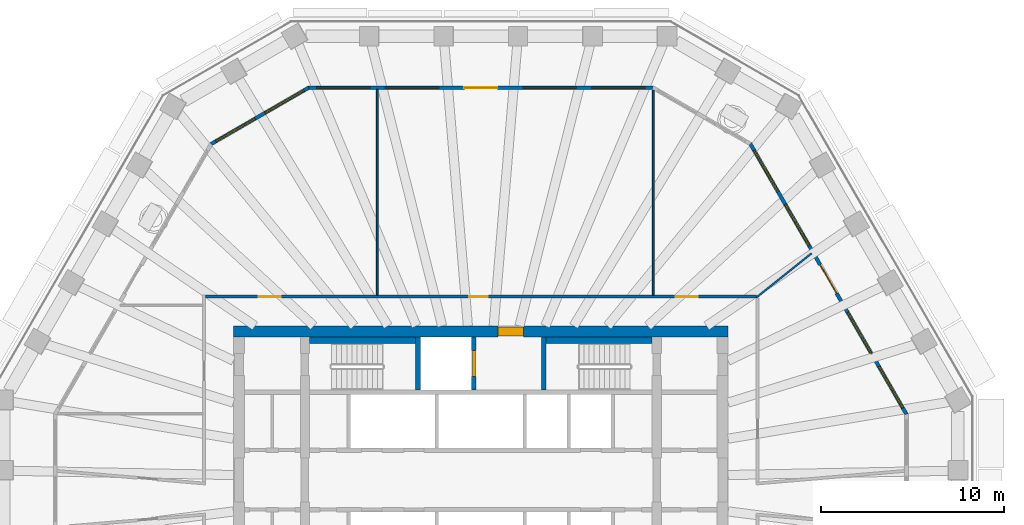
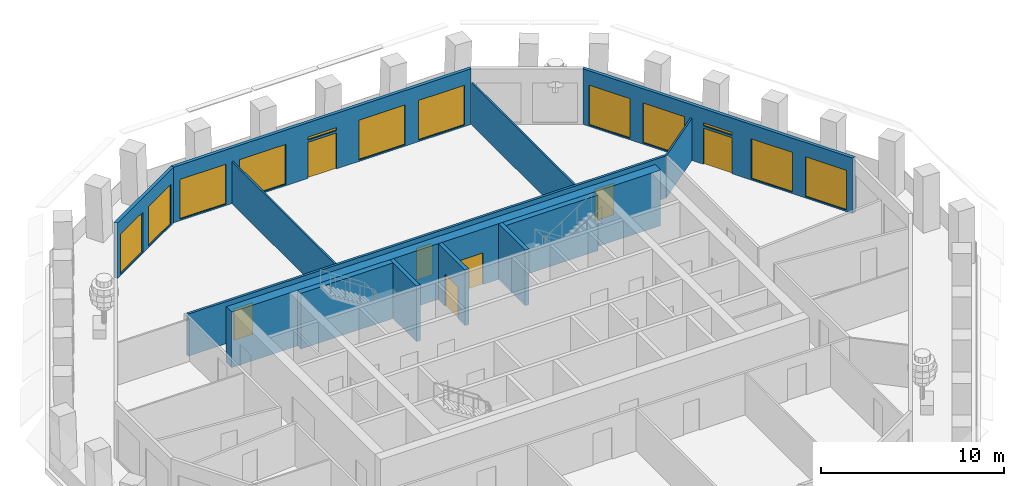
# One storey, part 7 of 12: 13 walls, 12 windows, 7 doors, 19 openings.
"""IFC4 building model written with IfcOpenShell, lengths in metres."""

import ifcopenshell
import ifcopenshell.guid

model = None  # the IFC model being written
_history = None  # IfcOwnerHistory: only IFC2X3 demands one
_inside = {}  # id of a spatial element -> (the spatial element, [elements in it])
_under = {}  # id of a project, library or spatial element -> (it, [spatial elements below it])
_declared = {}  # id of a project -> (the project, [libraries it declares])
_typed = {}  # id of a type object -> (the type object, [elements of that type])
_made_of = {}  # id of a material, layer set ... -> (it, [elements and type objects made of it])


def new_model(schema):
    """Start an empty IFC model of exactly this schema.

    Asked for "IFC4X3", IfcOpenShell would pick the latest addendum, in which some entities
    have other attributes; the version numbers below select the first issue.
    IFC2X3 requires an IfcOwnerHistory on every rooted entity: one is made here for all.
    """
    global model, _history
    if schema == "IFC4X3":
        model = ifcopenshell.file(schema_version=(4, 3, 0, 0))
    else:
        model = ifcopenshell.file(schema=schema)
    _inside.clear()
    _under.clear()
    _declared.clear()
    _typed.clear()
    _made_of.clear()
    _history = None
    if model.schema == "IFC2X3":
        org = make("IfcOrganization", Name="unknown")
        user = make(
            "IfcPersonAndOrganization",
            ThePerson=make("IfcPerson", FamilyName="unknown"),
            TheOrganization=org,
        )
        app = make(
            "IfcApplication",
            ApplicationDeveloper=org,
            Version="unknown",
            ApplicationFullName="unknown",
            ApplicationIdentifier="unknown",
        )
        _history = make(
            "IfcOwnerHistory",
            OwningUser=user,
            OwningApplication=app,
            ChangeAction="ADDED",
            CreationDate=0,
        )
    return model


def make(cls, **values):
    """One entity of the class cls with the attributes given. An attribute that is None is left unset."""
    return model.create_entity(
        cls, **{name: value for name, value in values.items() if value is not None}
    )


def rooted(cls, **values):
    """An entity with a GlobalId (a new one), such as an element, a storey or a relation."""
    return make(cls, GlobalId=ifcopenshell.guid.new(), OwnerHistory=_history, **values)


def si_unit(unit_type, name, prefix=None):
    """IfcSIUnit, for example si_unit("LENGTHUNIT", "METRE", prefix="MILLI")."""
    return make("IfcSIUnit", UnitType=unit_type, Prefix=prefix, Name=name)


def assignment(units):
    """IfcUnitAssignment: the units of a project."""
    return None if units is None else make("IfcUnitAssignment", Units=units)


def point(xyz):
    """IfcCartesianPoint."""
    return None if xyz is None else make("IfcCartesianPoint", Coordinates=xyz)


def direction(xyz):
    """IfcDirection."""
    return None if xyz is None else make("IfcDirection", DirectionRatios=xyz)


def frame(location, z_axis=None, x_axis=None):
    """IfcAxis2Placement3D, a coordinate frame: its origin and axes. An axis left out is left unset."""
    return make(
        "IfcAxis2Placement3D",
        Location=point(location),
        Axis=direction(z_axis),
        RefDirection=direction(x_axis),
    )


def frame_2d(location, x_axis=None):
    """IfcAxis2Placement2D, a coordinate frame in the plane: its origin and x axis."""
    return make(
        "IfcAxis2Placement2D", Location=point(location), RefDirection=direction(x_axis)
    )


def origin():
    """The frame at (0, 0, 0) with its axes left unset."""
    return frame((0.0, 0.0, 0.0))


def place(relative_to, where):
    """IfcLocalPlacement: puts the frame where relative to a parent placement (None: the world)."""
    return make(
        "IfcLocalPlacement", PlacementRelTo=relative_to, RelativePlacement=where
    )


def context(
    kind, dimensions, precision=None, world=None, true_north=None, identifier=None
):
    """IfcGeometricRepresentationContext, for example the 3D "Model" context."""
    return make(
        "IfcGeometricRepresentationContext",
        ContextIdentifier=identifier,
        ContextType=kind,
        CoordinateSpaceDimension=dimensions,
        Precision=precision,
        WorldCoordinateSystem=world,
        TrueNorth=true_north,
    )


def subcontext(parent, identifier, kind, view, scale=None):
    """IfcGeometricRepresentationSubContext, for example "Body" below "Model"."""
    return make(
        "IfcGeometricRepresentationSubContext",
        ContextIdentifier=identifier,
        ContextType=kind,
        ParentContext=parent,
        TargetScale=scale,
        TargetView=view,
    )


def project(units=None, contexts=None):
    """IfcProject with its units and contexts."""
    return rooted(
        "IfcProject",
        Name="project",
        RepresentationContexts=contexts,
        UnitsInContext=assignment(units),
    )


def spatial(cls, under=None, at=None, **own):
    """A site, building, storey or space (cls), placed at a placement, below another one or the project."""
    s = rooted(cls, ObjectPlacement=at, **own)
    if under is not None:
        _under.setdefault(under.id(), (under, []))[1].append(s)
    return s


def polyline(points):
    """IfcPolyline through the points."""
    return make("IfcPolyline", Points=[point(p) for p in points])


def profile(cls, at=None, kind="AREA", **sizes):
    """A parametric profile (cls). Its sizes go by their IFC names, for example OverallWidth=200.0."""
    return make(cls, ProfileType=kind, Position=at, **sizes)


def rectangle(**sizes):
    """IfcRectangleProfileDef."""
    return profile("IfcRectangleProfileDef", **sizes)


def outline(outer, holes=None, kind="AREA"):
    """IfcArbitraryClosedProfileDef: a profile drawn as a closed curve; with holes, ...WithVoids."""
    if holes is None:
        return make("IfcArbitraryClosedProfileDef", ProfileType=kind, OuterCurve=outer)
    return make(
        "IfcArbitraryProfileDefWithVoids",
        ProfileType=kind,
        OuterCurve=outer,
        InnerCurves=holes,
    )


def extrude(swept, where, along, depth):
    """IfcExtrudedAreaSolid: the profile swept, set in the frame where, extruded along a direction by depth."""
    return make(
        "IfcExtrudedAreaSolid",
        SweptArea=swept,
        Position=where,
        ExtrudedDirection=direction(along),
        Depth=depth,
    )


def shape(context_of_items, identifier, shape_type, items):
    """IfcShapeRepresentation: the items that make up one representation, for example the "Body"."""
    return make(
        "IfcShapeRepresentation",
        ContextOfItems=context_of_items,
        RepresentationIdentifier=identifier,
        RepresentationType=shape_type,
        Items=items,
    )


def material(Name=None, Category=None):
    """IfcMaterial."""
    return make("IfcMaterial", Name=Name, Category=Category)


def layer(
    of_material, thickness, ventilated=None, Name=None, Category=None, Priority=None
):
    """IfcMaterialLayer: one layer of a wall or slab, of a material (None: an air gap)."""
    return make(
        "IfcMaterialLayer",
        Material=of_material,
        LayerThickness=thickness,
        IsVentilated=ventilated,
        Name=Name,
        Category=Category,
        Priority=Priority,
    )


def layer_set(layers, Name=None):
    """IfcMaterialLayerSet."""
    return make("IfcMaterialLayerSet", MaterialLayers=layers, LayerSetName=Name)


def made_of(thing, what):
    """Note that an element or type object is made of a material, layer set ...; save() writes the relation."""
    if what is not None:
        _made_of.setdefault(what.id(), (what, []))[1].append(thing)
    return thing


def type_object(cls, material=None, **own):
    """A type object (cls), such as IfcWallType, which elements share."""
    return made_of(rooted(cls, **own), material)


def element(
    cls,
    number,
    at=None,
    inside=None,
    cuts=None,
    type_object=None,
    material=None,
    context=None,
    identifier="Body",
    shape_type=None,
    held_by="IfcProductDefinitionShape",
    body=None,
    shapes=None,
    **own,
):
    """One element of the class cls, such as IfcWall. Its Tag is "e" and its number.

    at: its placement. inside: the storey or other place that contains it. cuts: it is an
    opening in that element (IfcRelVoidsElement). A single representation is given by context,
    identifier, shape_type and body (its items); several are given by shapes. held_by: the class
    of the entity that holds the representations. save() writes the other relations.
    """
    e = rooted(cls, Tag="e%d" % number, ObjectPlacement=at, **own)
    if body is not None:
        shapes = [shape(context, identifier, shape_type, body)]
    if shapes is not None:
        e.Representation = make(held_by, Representations=shapes)
    if inside is not None:
        _inside.setdefault(inside.id(), (inside, []))[1].append(e)
    if cuts is not None:
        rooted(
            "IfcRelVoidsElement", RelatingBuildingElement=cuts, RelatedOpeningElement=e
        )
    if type_object is not None:
        _typed.setdefault(type_object.id(), (type_object, []))[1].append(e)
    return made_of(e, material)


def fill(opening, filler):
    """IfcRelFillsElement: the door or window that sits in an opening."""
    return rooted(
        "IfcRelFillsElement",
        RelatingOpeningElement=opening,
        RelatedBuildingElement=filler,
    )


def aggregate(whole, parts):
    """IfcRelAggregates: a whole, such as a stair, and the parts it consists of."""
    return rooted("IfcRelAggregates", RelatingObject=whole, RelatedObjects=parts)


def save(model, path):
    """Write the relations noted so far, then the file.

    IfcRelAggregates (storeys below a building ...), IfcRelContainedInSpatialStructure (elements
    in a storey), IfcRelDefinesByType, IfcRelAssociatesMaterial and IfcRelDeclares: one each for
    every whole, place, type object, material and project.
    """
    for whole, parts in _under.values():
        aggregate(whole, parts)
    for where, things in _inside.values():
        rooted(
            "IfcRelContainedInSpatialStructure",
            RelatedElements=things,
            RelatingStructure=where,
        )
    for kind, things in _typed.values():
        rooted("IfcRelDefinesByType", RelatedObjects=things, RelatingType=kind)
    for what, things in _made_of.values():
        rooted("IfcRelAssociatesMaterial", RelatedObjects=things, RelatingMaterial=what)
    for by, libraries in _declared.values():
        rooted("IfcRelDeclares", RelatingContext=by, RelatedDefinitions=libraries)
    model.write(path)


model = new_model("IFC4")

# Units and contexts
model_context = context("Model", 3, precision=1e-05, world=origin(), true_north=direction((0.0, 1.0)))
body_context = subcontext(model_context, "Body", "Model", "MODEL_VIEW")
ifc_project = project(units=[si_unit("LENGTHUNIT", "METRE"), si_unit("AREAUNIT", "SQUARE_METRE"), si_unit("VOLUMEUNIT", "CUBIC_METRE"), si_unit("PLANEANGLEUNIT", "RADIAN"), si_unit("MASSUNIT", "GRAM", prefix="KILO")], contexts=[model_context])

# Site, building, storey
site_placement = place(None, origin())
site = spatial("IfcSite", under=ifc_project, at=site_placement, CompositionType="ELEMENT")
building_placement = place(site_placement, origin())
building = spatial("IfcBuilding", under=site, at=building_placement, Name="Frailejon Research Tower", CompositionType="ELEMENT")
storey_placement = place(building_placement, frame((0.0, 0.0, 227.39990234375)))
storey = spatial("IfcBuildingStorey", under=building, at=storey_placement, Name="L49", CompositionType="ELEMENT", Elevation=227.39990234375)

# Wall, opening, door
ifc_material_1 = material(Name="Concrete C60/75", Category="concrete")
ifc_layer_1 = layer(ifc_material_1, 0.60009765625)
ifc_layer_set_1 = layer_set([ifc_layer_1], Name="Core shear wall 600 C60/75")
wall_type_1 = type_object("IfcWallType", Name="Core shear wall 600 C60/75", PredefinedType="SHEAR", material=ifc_layer_set_1)
wall_1_placement = place(storey_placement, frame((-13.5, 8.10009765625, 0.0), z_axis=(0.0, 0.0, 1.0), x_axis=(1.0, 0.0, 0.0)))
wall_1 = element("IfcWall", 1, at=wall_1_placement, inside=storey, type_object=wall_type_1, Name="Core shear wall", PredefinedType="SHEAR", context=body_context, shape_type="SweptSolid", body=[
    extrude(rectangle(XDim=27.0, YDim=0.60009765625, at=frame_2d((13.5, 0.0))), origin(), (0.0, 0.0, 1.0), 3.7001953125),
])
opening_1_placement = place(wall_1_placement, frame((14.425048828125, 0.0, 0.0)))
opening_1 = element("IfcOpeningElement", 2, at=opening_1_placement, cuts=wall_1, Name="Opening D9", PredefinedType="OPENING", context=body_context, shape_type="SweptSolid", body=[
    extrude(rectangle(XDim=1.39990234375, YDim=2.10009765625, at=frame_2d((0.699951171875, 1.050048828125))), frame((0.0, 0.31005859375, 0.0), z_axis=(0.0, -1.0, 0.0), x_axis=(1.0, 0.0, 0.0)), (0.0, 0.0, 1.0), 0.6201171875),
])
ifc_material_2 = material(Name="Steel", Category="steel")
door_type_1 = type_object("IfcDoorType", Name="Goods lobby door", OperationType="DOUBLE_DOOR_SINGLE_SWING", PredefinedType="DOOR", material=ifc_material_2)
door_1_placement = place(opening_1_placement, origin())
door_1 = element("IfcDoor", 3, at=door_1_placement, inside=storey, type_object=door_type_1, Name="Goods lobby door", OperationType="DOUBLE_DOOR_SINGLE_SWING", OverallHeight=2.10009765625, OverallWidth=1.39990234375, PredefinedType="DOOR", context=body_context, shape_type="SweptSolid", body=[
    extrude(rectangle(XDim=1.39990234375, YDim=2.10009765625, at=frame_2d((0.699951171875, 1.050048828125))), frame((0.0, 0.25, 0.0), z_axis=(0.0, -1.0, 0.0), x_axis=(1.0, 0.0, 0.0)), (0.0, 0.0, 1.0), 0.5),
])
fill(opening_1, door_1)

# Wall, openings, doors
ifc_material_3 = material(Name="Gypsum board and masonry partition", Category="masonry")
ifc_layer_2 = layer(ifc_material_3, 0.14990234375)
ifc_layer_set_2 = layer_set([ifc_layer_2], Name="Corridor wall EI 60, gypsum on steel studs 150")
wall_type_2 = type_object("IfcWallType", Name="Corridor wall EI 60, gypsum on steel studs 150", PredefinedType="PARTITIONING", material=ifc_layer_set_2)
wall_2_placement = place(storey_placement, frame((-15.02490234375, 10.0, 0.0), z_axis=(0.0, 0.0, 1.0), x_axis=(1.0, 0.0, 0.0)))
wall_2 = element("IfcWall", 4, at=wall_2_placement, inside=storey, type_object=wall_type_2, Name="T:IW:L49:003", PredefinedType="PARTITIONING", context=body_context, shape_type="SweptSolid", body=[
    extrude(rectangle(XDim=30.074951171875, YDim=0.14990234375, at=frame_2d((15.03759765625, 0.0))), origin(), (0.0, 0.0, 1.0), 2.800048828125),
])
opening_2_placement = place(wall_2_placement, frame((25.654052734375, 0.0, 0.0)))
opening_2 = element("IfcOpeningElement", 5, at=opening_2_placement, cuts=wall_2, Name="Opening D1992", PredefinedType="OPENING", context=body_context, shape_type="SweptSolid", body=[
    extrude(rectangle(XDim=1.199951171875, YDim=2.10009765625, at=frame_2d((0.60009765625, 1.050048828125))), frame((0.0, 0.0849609375, 0.0), z_axis=(0.0, -1.0, 0.0), x_axis=(1.0, 0.0, 0.0)), (0.0, 0.0, 1.0), 0.169921875),
])
opening_3_placement = place(wall_2_placement, frame((14.403564453125, 0.0, 0.0)))
opening_3 = element("IfcOpeningElement", 6, at=opening_3_placement, cuts=wall_2, Name="Opening D1993", PredefinedType="OPENING", context=body_context, shape_type="SweptSolid", body=[
    extrude(rectangle(XDim=1.0, YDim=2.10009765625, at=frame_2d((0.5, 1.050048828125))), frame((0.0, 0.0849609375, 0.0), z_axis=(0.0, -1.0, 0.0), x_axis=(1.0, 0.0, 0.0)), (0.0, 0.0, 1.0), 0.169921875),
])
opening_4_placement = place(wall_2_placement, frame((2.918701171875, 0.0, 0.0)))
opening_4 = element("IfcOpeningElement", 7, at=opening_4_placement, cuts=wall_2, Name="Opening D1994", PredefinedType="OPENING", context=body_context, shape_type="SweptSolid", body=[
    extrude(rectangle(XDim=1.199951171875, YDim=2.10009765625, at=frame_2d((0.60009765625, 1.050048828125))), frame((0.0, 0.0849609375, 0.0), z_axis=(0.0, -1.0, 0.0), x_axis=(1.0, 0.0, 0.0)), (0.0, 0.0, 1.0), 0.169921875),
])
ifc_material_4 = material(Name="Timber door leaf", Category="wood")
door_type_2 = type_object("IfcDoorType", Name="Door single leaf, timber, steel frame 1000", OperationType="NOTDEFINED", PredefinedType="DOOR", material=ifc_material_4)
door_2_placement = place(opening_3_placement, origin())
door_2 = element("IfcDoor", 8, at=door_2_placement, inside=storey, type_object=door_type_2, Name="D1993", OperationType="SINGLE_SWING_LEFT", OverallHeight=2.10009765625, OverallWidth=1.0, PredefinedType="DOOR", context=body_context, shape_type="SweptSolid", body=[
    extrude(rectangle(XDim=1.0, YDim=2.10009765625, at=frame_2d((0.5, 1.050048828125))), frame((0.0, 0.02490234375, 0.0), z_axis=(0.0, -1.0, 0.0), x_axis=(1.0, 0.0, 0.0)), (0.0, 0.0, 1.0), 0.050048828125),
])
fill(opening_3, door_2)
ifc_material_5 = material(Name="Timber door leaf", Category="wood")
door_type_3 = type_object("IfcDoorType", Name="Door single leaf, timber, steel frame 1200", OperationType="NOTDEFINED", PredefinedType="DOOR", material=ifc_material_5)
door_3_placement = place(opening_2_placement, origin())
door_3 = element("IfcDoor", 9, at=door_3_placement, inside=storey, type_object=door_type_3, Name="D1992", OperationType="DOUBLE_DOOR_SINGLE_SWING", OverallHeight=2.10009765625, OverallWidth=1.199951171875, PredefinedType="DOOR", context=body_context, shape_type="SweptSolid", body=[
    extrude(rectangle(XDim=1.199951171875, YDim=2.10009765625, at=frame_2d((0.60009765625, 1.050048828125))), frame((0.0, 0.02490234375, 0.0), z_axis=(0.0, -1.0, 0.0), x_axis=(1.0, 0.0, 0.0)), (0.0, 0.0, 1.0), 0.050048828125),
])
fill(opening_2, door_3)
door_4_placement = place(opening_4_placement, origin())
door_4 = element("IfcDoor", 10, at=door_4_placement, inside=storey, type_object=door_type_3, Name="D1994", OperationType="DOUBLE_DOOR_SINGLE_SWING", OverallHeight=2.10009765625, OverallWidth=1.199951171875, PredefinedType="DOOR", context=body_context, shape_type="SweptSolid", body=[
    extrude(rectangle(XDim=1.199951171875, YDim=2.10009765625, at=frame_2d((0.60009765625, 1.050048828125))), frame((0.0, 0.02490234375, 0.0), z_axis=(0.0, -1.0, 0.0), x_axis=(1.0, 0.0, 0.0)), (0.0, 0.0, 1.0), 0.050048828125),
])
fill(opening_4, door_4)

# Walls
ifc_material_6 = material(Name="Gypsum board and masonry partition", Category="masonry")
ifc_layer_3 = layer(ifc_material_6, 0.10009765625)
ifc_layer_set_3 = layer_set([ifc_layer_3], Name="Partition, gypsum on steel studs 100")
wall_type_3 = type_object("IfcWallType", Name="Partition, gypsum on steel studs 100", PredefinedType="PARTITIONING", material=ifc_layer_set_3)
wall_3_placement = place(storey_placement, frame((15.04150390625, 9.953125, 0.0), z_axis=(0.0, 0.0, 1.0), x_axis=(0.780930772554, 0.62461758579, 0.0)))
element("IfcWall", 11, at=wall_3_placement, inside=storey, type_object=wall_type_3, Name="T:IW:L49:013", PredefinedType="PARTITIONING", context=body_context, shape_type="SweptSolid", body=[
    extrude(rectangle(XDim=3.84375, YDim=0.10009765625, at=frame_2d((1.921875, 0.0))), origin(), (0.0, 0.0, 1.0), 2.800048828125),
])
wall_4_placement = place(storey_placement, frame((9.410400390625, 10.074951171875, 0.0), z_axis=(0.0, 0.0, 1.0), x_axis=(0.0, 1.0, 0.0)))
element("IfcWall", 12, at=wall_4_placement, inside=storey, type_object=wall_type_3, Name="T:IW:L49:014", PredefinedType="PARTITIONING", context=body_context, shape_type="SweptSolid", body=[
    extrude(rectangle(XDim=11.194091796875, YDim=0.10009765625, at=frame_2d((5.59716796875, 0.0))), origin(), (0.0, 0.0, 1.0), 2.800048828125),
])
wall_5_placement = place(storey_placement, frame((-5.646240234375, 10.074951171875, 0.0), z_axis=(0.0, 0.0, 1.0), x_axis=(0.0, 1.0, 0.0)))
element("IfcWall", 13, at=wall_5_placement, inside=storey, type_object=wall_type_3, Name="T:IW:L49:015", PredefinedType="PARTITIONING", context=body_context, shape_type="SweptSolid", body=[
    extrude(rectangle(XDim=11.22509765625, YDim=0.10009765625, at=frame_2d((5.612548828125, 0.0))), origin(), (0.0, 0.0, 1.0), 2.800048828125),
])
ifc_material_7 = material(Name="Concrete C60/75", Category="concrete")
ifc_layer_4 = layer(ifc_material_7, 0.25)
ifc_layer_set_4 = layer_set([ifc_layer_4], Name="Shaft wall 250 C60/75")
wall_type_4 = type_object("IfcWallType", Name="Shaft wall 250 C60/75", PredefinedType="SOLIDWALL", material=ifc_layer_set_4)
wall_6_placement = place(storey_placement, frame((-3.425048828125, 4.89990234375, 0.0), z_axis=(0.0, 0.0, 1.0), x_axis=(0.0, 1.0, 0.0)))
element("IfcWall", 14, at=wall_6_placement, inside=storey, type_object=wall_type_4, Name="Shaft wall", PredefinedType="SOLIDWALL", context=body_context, shape_type="SweptSolid", body=[
    extrude(rectangle(XDim=2.900146484375, YDim=0.25, at=frame_2d((1.4501953125, 0.0))), origin(), (0.0, 0.0, 1.0), 3.7001953125),
])

# Wall, opening, door
wall_7_placement = place(storey_placement, frame((-0.375, 4.89990234375, 0.0), z_axis=(0.0, 0.0, 1.0), x_axis=(0.0, 1.0, 0.0)))
wall_7 = element("IfcWall", 15, at=wall_7_placement, inside=storey, type_object=wall_type_4, Name="Shaft wall", PredefinedType="SOLIDWALL", context=body_context, shape_type="SweptSolid", body=[
    extrude(rectangle(XDim=2.900146484375, YDim=0.25, at=frame_2d((1.4501953125, 0.0))), origin(), (0.0, 0.0, 1.0), 3.7001953125),
])
opening_5_placement = place(wall_7_placement, frame((0.75, 0.0, 0.0)))
opening_5 = element("IfcOpeningElement", 16, at=opening_5_placement, cuts=wall_7, Name="Opening LD2", PredefinedType="OPENING", context=body_context, shape_type="SweptSolid", body=[
    extrude(rectangle(XDim=1.39990234375, YDim=2.10009765625, at=frame_2d((0.699951171875, 1.050048828125))), frame((0.0, 0.135009765625, 0.0), z_axis=(0.0, -1.0, 0.0), x_axis=(1.0, 0.0, 0.0)), (0.0, 0.0, 1.0), 0.27001953125),
])
ifc_material_8 = material(Name="Stainless steel", Category="steel")
door_type_4 = type_object("IfcDoorType", Name="Goods landing door", OperationType="DOUBLE_DOOR_SLIDING", PredefinedType="DOOR", material=ifc_material_8)
door_5_placement = place(opening_5_placement, origin())
door_5 = element("IfcDoor", 17, at=door_5_placement, inside=storey, type_object=door_type_4, Name="Lift landing door", OperationType="DOUBLE_DOOR_SLIDING", OverallHeight=2.10009765625, OverallWidth=1.39990234375, PredefinedType="DOOR", context=body_context, shape_type="SweptSolid", body=[
    extrude(rectangle(XDim=1.39990234375, YDim=2.10009765625, at=frame_2d((0.699951171875, 1.050048828125))), frame((0.0, 0.074951171875, 0.0), z_axis=(0.0, -1.0, 0.0), x_axis=(1.0, 0.0, 0.0)), (0.0, 0.0, 1.0), 0.14990234375),
])
fill(opening_5, door_5)

# Walls
wall_8_placement = place(storey_placement, frame((3.425048828125, 4.89990234375, 0.0), z_axis=(0.0, 0.0, 1.0), x_axis=(0.0, 1.0, 0.0)))
element("IfcWall", 18, at=wall_8_placement, inside=storey, type_object=wall_type_4, Name="Shaft wall", PredefinedType="SOLIDWALL", context=body_context, shape_type="SweptSolid", body=[
    extrude(rectangle(XDim=2.900146484375, YDim=0.25, at=frame_2d((1.4501953125, 0.0))), origin(), (0.0, 0.0, 1.0), 3.7001953125),
])
ifc_material_9 = material(Name="Concrete C60/75", Category="concrete")
ifc_layer_5 = layer(ifc_material_9, 0.35009765625)
ifc_layer_set_5 = layer_set([ifc_layer_5], Name="Shaft wall 350 C60/75")
wall_type_5 = type_object("IfcWallType", Name="Shaft wall 350 C60/75", PredefinedType="SOLIDWALL", material=ifc_layer_set_5)
for number, where, z_axis, x_axis, name in (
    (19, (-9.35009765625, 7.625, 0.0), (0.0, 0.0, 1.0), (1.0, 0.0, 0.0), "Shaft wall"),
    (20, (3.550048828125, 7.625, 0.0), (0.0, 0.0, 1.0), (1.0, 0.0, 0.0), "Shaft wall"),
):
    element("IfcWall", number, at=place(storey_placement, frame(where, z_axis=z_axis, x_axis=x_axis)), inside=storey, type_object=wall_type_5, Name=name, PredefinedType="SOLIDWALL", context=body_context, shape_type="SweptSolid", body=[
        extrude(rectangle(XDim=5.800048828125, YDim=0.35009765625, at=frame_2d((2.89990234375, 0.0))), origin(), (0.0, 0.0, 1.0), 3.7001953125),
    ])

# Wall, openings, door, windows
ifc_material_10 = material(Name="Concrete C40/50 precast window wall panel", Category="concrete")
ifc_layer_6 = layer(ifc_material_10, 0.199951171875)
ifc_layer_set_6 = layer_set([ifc_layer_6], Name="Window wall 200")
wall_type_6 = type_object("IfcWallType", Name="Window wall 200", PredefinedType="SOLIDWALL", material=ifc_layer_set_6)
wall_9_placement = place(storey_placement, frame((23.224609375, 3.579345703125, 0.0), z_axis=(0.0, 0.0, 1.0), x_axis=(-0.499996370621, 0.866027499197, 0.0)))
wall_9 = element("IfcWall", 21, at=wall_9_placement, inside=storey, type_object=wall_type_6, Name="Exterior wall L49", PredefinedType="SOLIDWALL", context=body_context, shape_type="SweptSolid", body=[
    extrude(outline(polyline([(-0.02685546875, -0.10009765625), (0.977783203125, -0.10009765625), (1.982421875, -0.10009765625), (2.987060546875, -0.10009765625), (3.99169921875, -0.10009765625), (4.996337890625, -0.10009765625), (6.0009765625, -0.10009765625), (7.005615234375, -0.10009765625), (8.01025390625, -0.10009765625), (9.014892578125, -0.10009765625), (10.01953125, -0.10009765625), (11.024169921875, -0.10009765625), (12.02880859375, -0.10009765625), (13.033447265625, -0.10009765625), (14.0380859375, -0.10009765625), (15.042724609375, -0.10009765625), (16.04736328125, -0.10009765625), (17.052001953125, -0.10009765625), (16.998291015625, 0.10009765625), (16.0, 0.10009765625), (15.001708984375, 0.10009765625), (14.00341796875, 0.10009765625), (13.005126953125, 0.10009765625), (12.006591796875, 0.10009765625), (11.00830078125, 0.10009765625), (10.010009765625, 0.10009765625), (9.01171875, 0.10009765625), (8.013427734375, 0.10009765625), (7.01513671875, 0.10009765625), (6.016845703125, 0.10009765625), (5.0185546875, 0.10009765625), (4.02001953125, 0.10009765625), (3.021728515625, 0.10009765625), (2.0234375, 0.10009765625), (1.025146484375, 0.10009765625), (0.02685546875, 0.10009765625), (-0.02685546875, -0.10009765625)])), origin(), (0.0, 0.0, 1.0), 3.7001953125),
])
opening_6_placement = place(wall_9_placement, frame((0.402587890625, 0.0, 0.10009765625)))
opening_6 = element("IfcOpeningElement", 22, at=opening_6_placement, cuts=wall_9, Name="Opening W18", PredefinedType="OPENING", context=body_context, shape_type="SweptSolid", body=[
    extrude(rectangle(XDim=2.60009765625, YDim=2.64990234375, at=frame_2d((1.300048828125, 1.324951171875))), frame((0.0, 0.10986328125, 0.0), z_axis=(0.0, -1.0, 0.0), x_axis=(1.0, 0.0, 0.0)), (0.0, 0.0, 1.0), 0.219970703125),
])
opening_7_placement = place(wall_9_placement, frame((3.8076171875, 0.0, 0.10009765625)))
opening_7 = element("IfcOpeningElement", 23, at=opening_7_placement, cuts=wall_9, Name="Opening W18", PredefinedType="OPENING", context=body_context, shape_type="SweptSolid", body=[
    extrude(rectangle(XDim=2.60009765625, YDim=2.64990234375, at=frame_2d((1.300048828125, 1.324951171875))), frame((0.0, 0.10986328125, 0.0), z_axis=(0.0, -1.0, 0.0), x_axis=(1.0, 0.0, 0.0)), (0.0, 0.0, 1.0), 0.219970703125),
])
opening_8_placement = place(wall_9_placement, frame((7.612548828125, 0.0, 0.0)))
opening_8 = element("IfcOpeningElement", 24, at=opening_8_placement, cuts=wall_9, Name="Opening LG49-1", PredefinedType="OPENING", context=body_context, shape_type="SweptSolid", body=[
    extrude(rectangle(XDim=1.800048828125, YDim=2.39990234375, at=frame_2d((0.89990234375, 1.199951171875))), frame((0.0, 0.10986328125, 0.0), z_axis=(0.0, -1.0, 0.0), x_axis=(1.0, 0.0, 0.0)), (0.0, 0.0, 1.0), 0.219970703125),
])
opening_9_placement = place(wall_9_placement, frame((7.612548828125, 0.0, 2.550048828125)))
opening_9 = element("IfcOpeningElement", 25, at=opening_9_placement, cuts=wall_9, Name="Opening W19", PredefinedType="OPENING", context=body_context, shape_type="SweptSolid", body=[
    extrude(rectangle(XDim=1.800048828125, YDim=0.199951171875, at=frame_2d((0.89990234375, 0.10009765625))), frame((0.0, 0.10986328125, 0.0), z_axis=(0.0, -1.0, 0.0), x_axis=(1.0, 0.0, 0.0)), (0.0, 0.0, 1.0), 0.219970703125),
])
opening_10_placement = place(wall_9_placement, frame((10.61767578125, 0.0, 0.10009765625)))
opening_10 = element("IfcOpeningElement", 26, at=opening_10_placement, cuts=wall_9, Name="Opening W18", PredefinedType="OPENING", context=body_context, shape_type="SweptSolid", body=[
    extrude(rectangle(XDim=2.60009765625, YDim=2.64990234375, at=frame_2d((1.300048828125, 1.324951171875))), frame((0.0, 0.10986328125, 0.0), z_axis=(0.0, -1.0, 0.0), x_axis=(1.0, 0.0, 0.0)), (0.0, 0.0, 1.0), 0.219970703125),
])
opening_11_placement = place(wall_9_placement, frame((14.022705078125, 0.0, 0.10009765625)))
opening_11 = element("IfcOpeningElement", 27, at=opening_11_placement, cuts=wall_9, Name="Opening W18", PredefinedType="OPENING", context=body_context, shape_type="SweptSolid", body=[
    extrude(rectangle(XDim=2.60009765625, YDim=2.64990234375, at=frame_2d((1.300048828125, 1.324951171875))), frame((0.0, 0.10986328125, 0.0), z_axis=(0.0, -1.0, 0.0), x_axis=(1.0, 0.0, 0.0)), (0.0, 0.0, 1.0), 0.219970703125),
])
ifc_material_11 = material(Name="Aluminium framed glazed door leaf", Category="aluminium")
door_type_5 = type_object("IfcDoorType", Name="Loggia door 1800x2400", OperationType="DOUBLE_DOOR_SINGLE_SWING", PredefinedType="DOOR", material=ifc_material_11)
door_6_placement = place(opening_8_placement, origin())
door_6 = element("IfcDoor", 28, at=door_6_placement, inside=storey, type_object=door_type_5, Name="Door LG49-1", OperationType="DOUBLE_DOOR_SINGLE_SWING", OverallHeight=2.39990234375, OverallWidth=1.800048828125, PredefinedType="DOOR", context=body_context, shape_type="SweptSolid", body=[
    extrude(rectangle(XDim=1.800048828125, YDim=2.39990234375, at=frame_2d((0.89990234375, 1.199951171875))), frame((0.0, 0.02490234375, 0.0), z_axis=(0.0, -1.0, 0.0), x_axis=(1.0, 0.0, 0.0)), (0.0, 0.0, 1.0), 0.050048828125),
])
fill(opening_8, door_6)
ifc_material_12 = material(Name="Aluminium framed double glazing", Category="aluminium")
window_type_1 = type_object("IfcWindowType", Name="Window 1800x200", PartitioningType="SINGLE_PANEL", PredefinedType="WINDOW", material=ifc_material_12)
window_1_placement = place(opening_9_placement, origin())
window_1 = element("IfcWindow", 29, at=window_1_placement, inside=storey, type_object=window_type_1, Name="Window L49", OverallHeight=0.199951171875, OverallWidth=1.800048828125, PartitioningType="SINGLE_PANEL", PredefinedType="WINDOW", context=body_context, shape_type="SweptSolid", body=[
    extrude(rectangle(XDim=1.800048828125, YDim=0.199951171875, at=frame_2d((0.89990234375, 0.10009765625))), frame((0.0, 0.030029296875, 0.0), z_axis=(0.0, -1.0, 0.0), x_axis=(1.0, 0.0, 0.0)), (0.0, 0.0, 1.0), 0.06005859375),
])
fill(opening_9, window_1)
ifc_material_13 = material(Name="Aluminium framed double glazing", Category="aluminium")
window_type_2 = type_object("IfcWindowType", Name="Window 2600x2650", PartitioningType="SINGLE_PANEL", PredefinedType="WINDOW", material=ifc_material_13)
window_2_placement = place(opening_6_placement, origin())
window_2 = element("IfcWindow", 30, at=window_2_placement, inside=storey, type_object=window_type_2, Name="Window L49", OverallHeight=2.64990234375, OverallWidth=2.60009765625, PartitioningType="SINGLE_PANEL", PredefinedType="WINDOW", context=body_context, shape_type="SweptSolid", body=[
    extrude(rectangle(XDim=2.60009765625, YDim=2.64990234375, at=frame_2d((1.300048828125, 1.324951171875))), frame((0.0, 0.030029296875, 0.0), z_axis=(0.0, -1.0, 0.0), x_axis=(1.0, 0.0, 0.0)), (0.0, 0.0, 1.0), 0.06005859375),
])
fill(opening_6, window_2)
window_3_placement = place(opening_7_placement, origin())
window_3 = element("IfcWindow", 31, at=window_3_placement, inside=storey, type_object=window_type_2, Name="Window L49", OverallHeight=2.64990234375, OverallWidth=2.60009765625, PartitioningType="SINGLE_PANEL", PredefinedType="WINDOW", context=body_context, shape_type="SweptSolid", body=[
    extrude(rectangle(XDim=2.60009765625, YDim=2.64990234375, at=frame_2d((1.300048828125, 1.324951171875))), frame((0.0, 0.030029296875, 0.0), z_axis=(0.0, -1.0, 0.0), x_axis=(1.0, 0.0, 0.0)), (0.0, 0.0, 1.0), 0.06005859375),
])
fill(opening_7, window_3)
window_4_placement = place(opening_10_placement, origin())
window_4 = element("IfcWindow", 32, at=window_4_placement, inside=storey, type_object=window_type_2, Name="Window L49", OverallHeight=2.64990234375, OverallWidth=2.60009765625, PartitioningType="SINGLE_PANEL", PredefinedType="WINDOW", context=body_context, shape_type="SweptSolid", body=[
    extrude(rectangle(XDim=2.60009765625, YDim=2.64990234375, at=frame_2d((1.300048828125, 1.324951171875))), frame((0.0, 0.030029296875, 0.0), z_axis=(0.0, -1.0, 0.0), x_axis=(1.0, 0.0, 0.0)), (0.0, 0.0, 1.0), 0.06005859375),
])
fill(opening_10, window_4)
window_5_placement = place(opening_11_placement, origin())
window_5 = element("IfcWindow", 33, at=window_5_placement, inside=storey, type_object=window_type_2, Name="Window L49", OverallHeight=2.64990234375, OverallWidth=2.60009765625, PartitioningType="SINGLE_PANEL", PredefinedType="WINDOW", context=body_context, shape_type="SweptSolid", body=[
    extrude(rectangle(XDim=2.60009765625, YDim=2.64990234375, at=frame_2d((1.300048828125, 1.324951171875))), frame((0.0, 0.030029296875, 0.0), z_axis=(0.0, -1.0, 0.0), x_axis=(1.0, 0.0, 0.0)), (0.0, 0.0, 1.0), 0.06005859375),
])
fill(opening_11, window_5)

wall_10_placement = place(storey_placement, frame((9.383544921875, 21.39990234375, 0.0), z_axis=(0.0, 0.0, 1.0), x_axis=(-1.0, 0.0, 0.0)))
wall_10 = element("IfcWall", 34, at=wall_10_placement, inside=storey, type_object=wall_type_6, Name="Exterior wall L49", PredefinedType="SOLIDWALL", context=body_context, shape_type="SweptSolid", body=[
    extrude(outline(polyline([(-0.02685546875, -0.10009765625), (1.018798828125, -0.10009765625), (2.064453125, -0.10009765625), (3.10986328125, -0.10009765625), (4.155517578125, -0.10009765625), (5.201171875, -0.10009765625), (6.246826171875, -0.10009765625), (7.292236328125, -0.10009765625), (8.337890625, -0.10009765625), (9.383544921875, -0.10009765625), (10.42919921875, -0.10009765625), (11.474853515625, -0.10009765625), (12.520263671875, -0.10009765625), (13.56591796875, -0.10009765625), (14.611572265625, -0.10009765625), (15.6572265625, -0.10009765625), (16.70263671875, -0.10009765625), (17.748291015625, -0.10009765625), (18.7939453125, -0.10009765625), (18.740234375, 0.10009765625), (17.70068359375, 0.10009765625), (16.660888671875, 0.10009765625), (15.621337890625, 0.10009765625), (14.581787109375, 0.10009765625), (13.5419921875, 0.10009765625), (12.50244140625, 0.10009765625), (11.462890625, 0.10009765625), (10.423095703125, 0.10009765625), (9.383544921875, 0.10009765625), (8.343994140625, 0.10009765625), (7.30419921875, 0.10009765625), (6.2646484375, 0.10009765625), (5.22509765625, 0.10009765625), (4.185302734375, 0.10009765625), (3.145751953125, 0.10009765625), (2.106201171875, 0.10009765625), (1.06640625, 0.10009765625), (0.02685546875, 0.10009765625), (-0.02685546875, -0.10009765625)])), origin(), (0.0, 0.0, 1.0), 3.7001953125),
])
opening_12_placement = place(wall_10_placement, frame((0.4267578125, 0.0, 0.10009765625)))
opening_12 = element("IfcOpeningElement", 35, at=opening_12_placement, cuts=wall_10, Name="Opening W20", PredefinedType="OPENING", context=body_context, shape_type="SweptSolid", body=[
    extrude(rectangle(XDim=2.89990234375, YDim=2.64990234375, at=frame_2d((1.449951171875, 1.324951171875))), frame((0.0, 0.10986328125, 0.0), z_axis=(0.0, -1.0, 0.0), x_axis=(1.0, 0.0, 0.0)), (0.0, 0.0, 1.0), 0.219970703125),
])
opening_13_placement = place(wall_10_placement, frame((4.18017578125, 0.0, 0.10009765625)))
opening_13 = element("IfcOpeningElement", 36, at=opening_13_placement, cuts=wall_10, Name="Opening W20", PredefinedType="OPENING", context=body_context, shape_type="SweptSolid", body=[
    extrude(rectangle(XDim=2.89990234375, YDim=2.64990234375, at=frame_2d((1.449951171875, 1.324951171875))), frame((0.0, 0.10986328125, 0.0), z_axis=(0.0, -1.0, 0.0), x_axis=(1.0, 0.0, 0.0)), (0.0, 0.0, 1.0), 0.219970703125),
])
opening_14_placement = place(wall_10_placement, frame((8.4833984375, 0.0, 0.0)))
opening_14 = element("IfcOpeningElement", 37, at=opening_14_placement, cuts=wall_10, Name="Opening LG49-2", PredefinedType="OPENING", context=body_context, shape_type="SweptSolid", body=[
    extrude(rectangle(XDim=1.800048828125, YDim=2.39990234375, at=frame_2d((0.89990234375, 1.199951171875))), frame((0.0, 0.10986328125, 0.0), z_axis=(0.0, -1.0, 0.0), x_axis=(1.0, 0.0, 0.0)), (0.0, 0.0, 1.0), 0.219970703125),
])
opening_15_placement = place(wall_10_placement, frame((8.4833984375, 0.0, 2.550048828125)))
opening_15 = element("IfcOpeningElement", 38, at=opening_15_placement, cuts=wall_10, Name="Opening W19", PredefinedType="OPENING", context=body_context, shape_type="SweptSolid", body=[
    extrude(rectangle(XDim=1.800048828125, YDim=0.199951171875, at=frame_2d((0.89990234375, 0.10009765625))), frame((0.0, 0.10986328125, 0.0), z_axis=(0.0, -1.0, 0.0), x_axis=(1.0, 0.0, 0.0)), (0.0, 0.0, 1.0), 0.219970703125),
])
opening_16_placement = place(wall_10_placement, frame((11.68701171875, 0.0, 0.10009765625)))
opening_16 = element("IfcOpeningElement", 39, at=opening_16_placement, cuts=wall_10, Name="Opening W20", PredefinedType="OPENING", context=body_context, shape_type="SweptSolid", body=[
    extrude(rectangle(XDim=2.89990234375, YDim=2.64990234375, at=frame_2d((1.449951171875, 1.324951171875))), frame((0.0, 0.10986328125, 0.0), z_axis=(0.0, -1.0, 0.0), x_axis=(1.0, 0.0, 0.0)), (0.0, 0.0, 1.0), 0.219970703125),
])
opening_17_placement = place(wall_10_placement, frame((15.440185546875, 0.0, 0.10009765625)))
opening_17 = element("IfcOpeningElement", 40, at=opening_17_placement, cuts=wall_10, Name="Opening W20", PredefinedType="OPENING", context=body_context, shape_type="SweptSolid", body=[
    extrude(rectangle(XDim=2.89990234375, YDim=2.64990234375, at=frame_2d((1.449951171875, 1.324951171875))), frame((0.0, 0.10986328125, 0.0), z_axis=(0.0, -1.0, 0.0), x_axis=(1.0, 0.0, 0.0)), (0.0, 0.0, 1.0), 0.219970703125),
])
door_7_placement = place(opening_14_placement, origin())
door_7 = element("IfcDoor", 41, at=door_7_placement, inside=storey, type_object=door_type_5, Name="Door LG49-2", OperationType="DOUBLE_DOOR_SINGLE_SWING", OverallHeight=2.39990234375, OverallWidth=1.800048828125, PredefinedType="DOOR", context=body_context, shape_type="SweptSolid", body=[
    extrude(rectangle(XDim=1.800048828125, YDim=2.39990234375, at=frame_2d((0.89990234375, 1.199951171875))), frame((0.0, 0.02490234375, 0.0), z_axis=(0.0, -1.0, 0.0), x_axis=(1.0, 0.0, 0.0)), (0.0, 0.0, 1.0), 0.050048828125),
])
fill(opening_14, door_7)
window_6_placement = place(opening_15_placement, origin())
window_6 = element("IfcWindow", 42, at=window_6_placement, inside=storey, type_object=window_type_1, Name="Window L49", OverallHeight=0.199951171875, OverallWidth=1.800048828125, PartitioningType="SINGLE_PANEL", PredefinedType="WINDOW", context=body_context, shape_type="SweptSolid", body=[
    extrude(rectangle(XDim=1.800048828125, YDim=0.199951171875, at=frame_2d((0.89990234375, 0.10009765625))), frame((0.0, 0.030029296875, 0.0), z_axis=(0.0, -1.0, 0.0), x_axis=(1.0, 0.0, 0.0)), (0.0, 0.0, 1.0), 0.06005859375),
])
fill(opening_15, window_6)
ifc_material_14 = material(Name="Aluminium framed double glazing", Category="aluminium")
window_type_3 = type_object("IfcWindowType", Name="Window 2900x2650", PartitioningType="SINGLE_PANEL", PredefinedType="WINDOW", material=ifc_material_14)
window_7_placement = place(opening_12_placement, origin())
window_7 = element("IfcWindow", 43, at=window_7_placement, inside=storey, type_object=window_type_3, Name="Window L49", OverallHeight=2.64990234375, OverallWidth=2.89990234375, PartitioningType="SINGLE_PANEL", PredefinedType="WINDOW", context=body_context, shape_type="SweptSolid", body=[
    extrude(rectangle(XDim=2.89990234375, YDim=2.64990234375, at=frame_2d((1.449951171875, 1.324951171875))), frame((0.0, 0.030029296875, 0.0), z_axis=(0.0, -1.0, 0.0), x_axis=(1.0, 0.0, 0.0)), (0.0, 0.0, 1.0), 0.06005859375),
])
fill(opening_12, window_7)
window_8_placement = place(opening_13_placement, origin())
window_8 = element("IfcWindow", 44, at=window_8_placement, inside=storey, type_object=window_type_3, Name="Window L49", OverallHeight=2.64990234375, OverallWidth=2.89990234375, PartitioningType="SINGLE_PANEL", PredefinedType="WINDOW", context=body_context, shape_type="SweptSolid", body=[
    extrude(rectangle(XDim=2.89990234375, YDim=2.64990234375, at=frame_2d((1.449951171875, 1.324951171875))), frame((0.0, 0.030029296875, 0.0), z_axis=(0.0, -1.0, 0.0), x_axis=(1.0, 0.0, 0.0)), (0.0, 0.0, 1.0), 0.06005859375),
])
fill(opening_13, window_8)
window_9_placement = place(opening_16_placement, origin())
window_9 = element("IfcWindow", 45, at=window_9_placement, inside=storey, type_object=window_type_3, Name="Window L49", OverallHeight=2.64990234375, OverallWidth=2.89990234375, PartitioningType="SINGLE_PANEL", PredefinedType="WINDOW", context=body_context, shape_type="SweptSolid", body=[
    extrude(rectangle(XDim=2.89990234375, YDim=2.64990234375, at=frame_2d((1.449951171875, 1.324951171875))), frame((0.0, 0.030029296875, 0.0), z_axis=(0.0, -1.0, 0.0), x_axis=(1.0, 0.0, 0.0)), (0.0, 0.0, 1.0), 0.06005859375),
])
fill(opening_16, window_9)
window_10_placement = place(opening_17_placement, origin())
window_10 = element("IfcWindow", 46, at=window_10_placement, inside=storey, type_object=window_type_3, Name="Window L49", OverallHeight=2.64990234375, OverallWidth=2.89990234375, PartitioningType="SINGLE_PANEL", PredefinedType="WINDOW", context=body_context, shape_type="SweptSolid", body=[
    extrude(rectangle(XDim=2.89990234375, YDim=2.64990234375, at=frame_2d((1.449951171875, 1.324951171875))), frame((0.0, 0.030029296875, 0.0), z_axis=(0.0, -1.0, 0.0), x_axis=(1.0, 0.0, 0.0)), (0.0, 0.0, 1.0), 0.06005859375),
])
fill(opening_17, window_10)

# Wall, openings, windows
wall_11_placement = place(storey_placement, frame((-9.383544921875, 21.39990234375, 0.0), z_axis=(0.0, 0.0, 1.0), x_axis=(-0.866029647142, -0.499992650217, 0.0)))
wall_11 = element("IfcWall", 47, at=wall_11_placement, inside=storey, type_object=wall_type_6, Name="Exterior wall L49", PredefinedType="SOLIDWALL", context=body_context, shape_type="SweptSolid", body=[
    extrude(outline(polyline([(-0.02685546875, -0.10009765625), (1.007568359375, -0.10009765625), (2.0419921875, -0.10009765625), (3.076416015625, -0.10009765625), (4.11083984375, -0.10009765625), (5.145263671875, -0.10009765625), (6.1796875, -0.10009765625), (6.1259765625, 0.10009765625), (5.109375, 0.10009765625), (4.093017578125, 0.10009765625), (3.076416015625, 0.10009765625), (2.059814453125, 0.10009765625), (1.04345703125, 0.10009765625), (0.02685546875, 0.10009765625), (-0.02685546875, -0.10009765625)])), origin(), (0.0, 0.0, 1.0), 3.7001953125),
])
opening_18_placement = place(wall_11_placement, frame((0.313232421875, 0.0, 0.10009765625)))
opening_18 = element("IfcOpeningElement", 48, at=opening_18_placement, cuts=wall_11, Name="Opening W17", PredefinedType="OPENING", context=body_context, shape_type="SweptSolid", body=[
    extrude(rectangle(XDim=2.449951171875, YDim=2.64990234375, at=frame_2d((1.22509765625, 1.324951171875))), frame((0.0, 0.10986328125, 0.0), z_axis=(0.0, -1.0, 0.0), x_axis=(1.0, 0.0, 0.0)), (0.0, 0.0, 1.0), 0.219970703125),
])
opening_19_placement = place(wall_11_placement, frame((3.3896484375, 0.0, 0.10009765625)))
opening_19 = element("IfcOpeningElement", 49, at=opening_19_placement, cuts=wall_11, Name="Opening W17", PredefinedType="OPENING", context=body_context, shape_type="SweptSolid", body=[
    extrude(rectangle(XDim=2.449951171875, YDim=2.64990234375, at=frame_2d((1.22509765625, 1.324951171875))), frame((0.0, 0.10986328125, 0.0), z_axis=(0.0, -1.0, 0.0), x_axis=(1.0, 0.0, 0.0)), (0.0, 0.0, 1.0), 0.219970703125),
])
ifc_material_15 = material(Name="Aluminium framed double glazing", Category="aluminium")
window_type_4 = type_object("IfcWindowType", Name="Window 2450x2650", PartitioningType="SINGLE_PANEL", PredefinedType="WINDOW", material=ifc_material_15)
window_11_placement = place(opening_18_placement, origin())
window_11 = element("IfcWindow", 50, at=window_11_placement, inside=storey, type_object=window_type_4, Name="Window L49", OverallHeight=2.64990234375, OverallWidth=2.449951171875, PartitioningType="SINGLE_PANEL", PredefinedType="WINDOW", context=body_context, shape_type="SweptSolid", body=[
    extrude(rectangle(XDim=2.449951171875, YDim=2.64990234375, at=frame_2d((1.22509765625, 1.324951171875))), frame((0.0, 0.030029296875, 0.0), z_axis=(0.0, -1.0, 0.0), x_axis=(1.0, 0.0, 0.0)), (0.0, 0.0, 1.0), 0.06005859375),
])
fill(opening_18, window_11)
window_12_placement = place(opening_19_placement, origin())
window_12 = element("IfcWindow", 51, at=window_12_placement, inside=storey, type_object=window_type_4, Name="Window L49", OverallHeight=2.64990234375, OverallWidth=2.449951171875, PartitioningType="SINGLE_PANEL", PredefinedType="WINDOW", context=body_context, shape_type="SweptSolid", body=[
    extrude(rectangle(XDim=2.449951171875, YDim=2.64990234375, at=frame_2d((1.22509765625, 1.324951171875))), frame((0.0, 0.030029296875, 0.0), z_axis=(0.0, -1.0, 0.0), x_axis=(1.0, 0.0, 0.0)), (0.0, 0.0, 1.0), 0.06005859375),
])
fill(opening_19, window_12)

save(model, "model.ifc")
